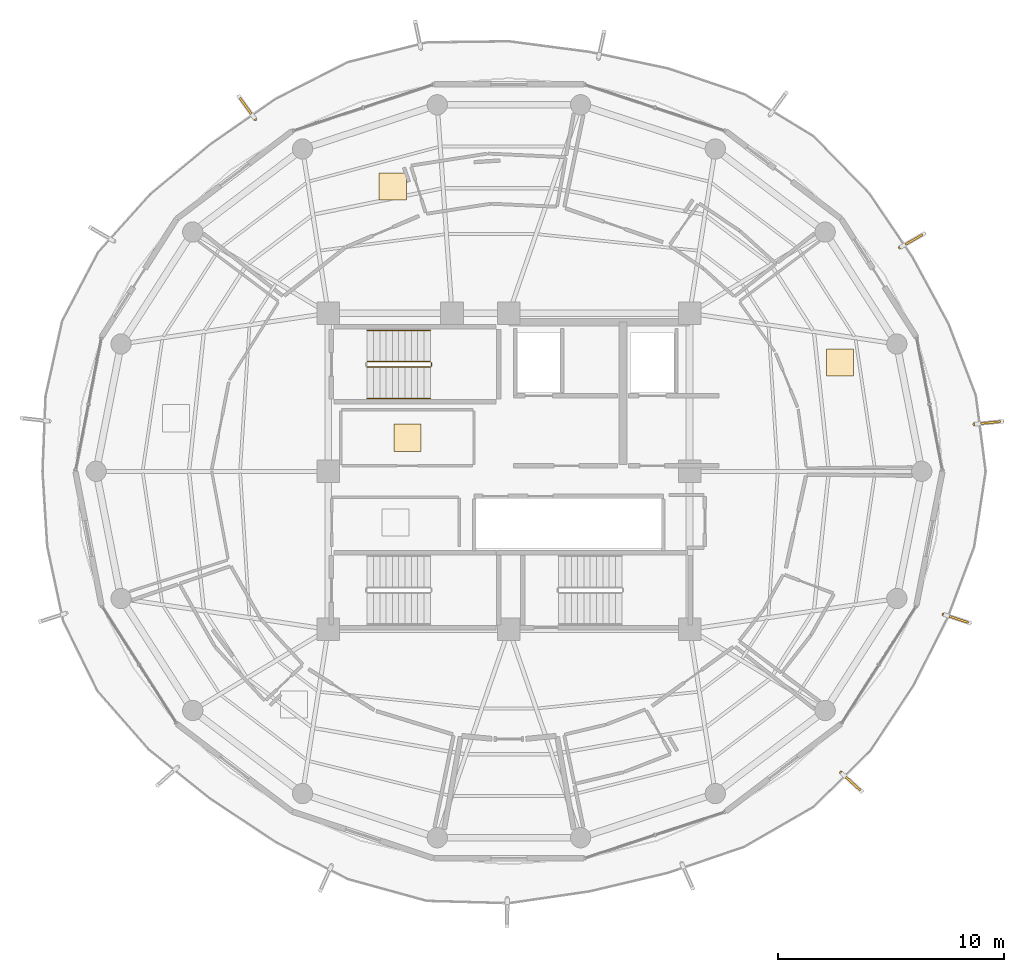
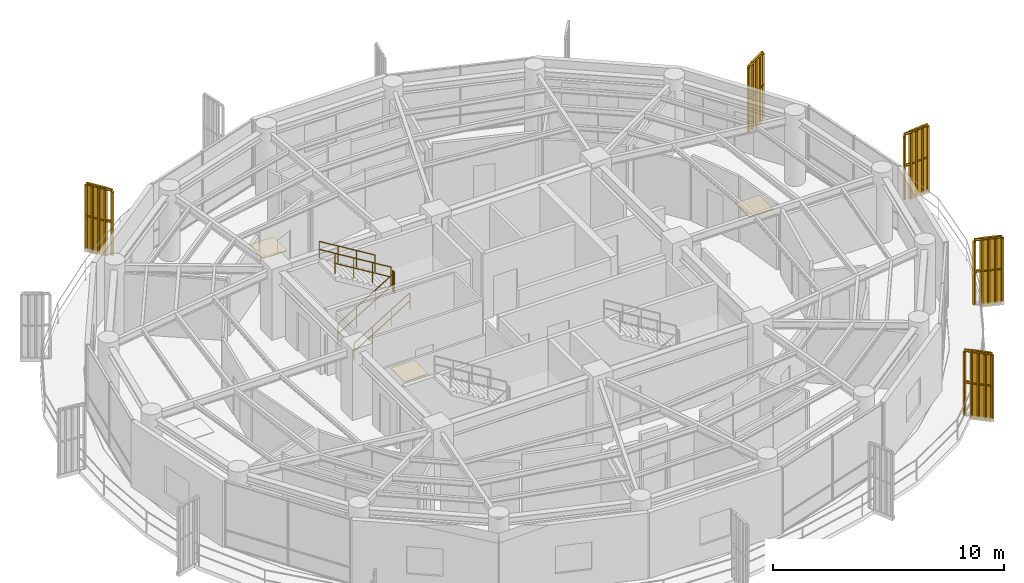
# One storey, part 21 of 22: 10 railings, 5 shading devices, 3 coverings.
"""IFC4 building model written with IfcOpenShell, lengths in metres."""

from ifc_helpers import new_model, si_unit, direction, frame, origin, origin_2d, place, context, subcontext, project, spatial, polyline, rectangle, outline, extrude, source, transform, mapped, material, layer, layer_set, type_object, element, save


model = new_model("IFC4")

# Units and contexts
model_context = context("Model", 3, precision=1e-05, world=origin(), true_north=direction((0.0, 1.0)))
body_context = subcontext(model_context, "Body", "Model", "MODEL_VIEW")
ifc_project = project(units=[si_unit("LENGTHUNIT", "METRE"), si_unit("AREAUNIT", "SQUARE_METRE"), si_unit("VOLUMEUNIT", "CUBIC_METRE"), si_unit("PLANEANGLEUNIT", "RADIAN"), si_unit("MASSUNIT", "GRAM", prefix="KILO")], contexts=[model_context])

# Site, building, storey
site_placement = place(None, origin())
site = spatial("IfcSite", under=ifc_project, at=site_placement, CompositionType="ELEMENT")
building_placement = place(site_placement, origin())
building = spatial("IfcBuilding", under=site, at=building_placement, Name="Kelanora Arch Commons", CompositionType="ELEMENT")
storey_placement = place(building_placement, frame((0.0, 0.0, 274.949951171875)))
storey = spatial("IfcBuildingStorey", under=building, at=storey_placement, Name="L70", CompositionType="ELEMENT", Elevation=274.949951171875)

# Railings
ifc_material_1 = material(Name="Anodised bronze vertical shading fin rib assembly")
railing_type_1 = type_object("IfcRailingType", Name="RAIL-FIN-BRZ", PredefinedType="BALUSTRADE", material=ifc_material_1)
railing_1_placement = place(storey_placement, frame((93.245849609375, 51.663818359375, -0.02001953125)))
element("IfcRailing", 1, at=railing_1_placement, inside=storey, type_object=railing_type_1, Name="Sweeping Bronze Vertical Fin Blade L70-00", PredefinedType="BALUSTRADE", context=body_context, shape_type="SweptSolid", body=[
    extrude(outline(polyline([(0.06982421875, 0.0), (0.034912109375, 0.060546875), (-0.034912109375, 0.060546875), (-0.06982421875, 0.0), (-0.034912109375, -0.060546875), (0.034912109375, -0.060546875), (0.06982421875, 0.0)])), frame((0.0, 0.0, 3.419921875), z_axis=(0.949843867846, -0.312724522088, 0.0), x_axis=(0.312724522088, 0.949843867846, 0.0)), (0.0, 0.0, 1.0), 1.234375),
    extrude(outline(polyline([(0.06982421875, 0.0), (0.034912109375, 0.060546875), (-0.034912109375, 0.060546875), (-0.06982421875, 0.0), (-0.034912109375, -0.060546875), (0.034912109375, -0.060546875), (0.06982421875, 0.0)])), frame((0.0, 0.0, 1.7451171875), z_axis=(0.949843867846, -0.312724522088, 0.0), x_axis=(0.312724522088, 0.949843867846, 0.0)), (0.0, 0.0, 1.0), 1.234375),
    extrude(outline(polyline([(0.080078125, 0.0), (0.0400390625, 0.0693359375), (-0.0400390625, 0.0693359375), (-0.080078125, 0.0), (-0.0400390625, -0.0693359375), (0.0400390625, -0.0693359375), (0.080078125, 0.0)])), origin(), (0.0, 0.0, 1.0), 3.35009765625),
    extrude(outline(polyline([(0.080078125, 0.0), (0.0400390625, 0.0693359375), (-0.0400390625, 0.0693359375), (-0.080078125, 0.0), (-0.0400390625, -0.0693359375), (0.0400390625, -0.0693359375), (0.080078125, 0.0)])), frame((0.29296875, -0.096435546875, 0.0)), (0.0, 0.0, 1.0), 3.35009765625),
    extrude(outline(polyline([(0.080078125, 0.0), (0.0400390625, 0.0693359375), (-0.0400390625, 0.0693359375), (-0.080078125, 0.0), (-0.0400390625, -0.0693359375), (0.0400390625, -0.0693359375), (0.080078125, 0.0)])), frame((0.586181640625, -0.19287109375, 0.0)), (0.0, 0.0, 1.0), 3.35009765625),
    extrude(outline(polyline([(0.080078125, 0.0), (0.0400390625, 0.0693359375), (-0.0400390625, 0.0693359375), (-0.080078125, 0.0), (-0.0400390625, -0.0693359375), (0.0400390625, -0.0693359375), (0.080078125, 0.0)])), frame((0.87939453125, -0.28955078125, 0.0)), (0.0, 0.0, 1.0), 3.35009765625),
    extrude(outline(polyline([(0.080078125, 0.0), (0.0400390625, 0.0693359375), (-0.0400390625, 0.0693359375), (-0.080078125, 0.0), (-0.0400390625, -0.0693359375), (0.0400390625, -0.0693359375), (0.080078125, 0.0)])), frame((1.17236328125, -0.385986328125, 0.0)), (0.0, 0.0, 1.0), 3.35009765625),
])
railing_2_placement = place(storey_placement, frame((94.61572265625, 60.085693359375, -0.02001953125)))
element("IfcRailing", 2, at=railing_2_placement, inside=storey, type_object=railing_type_1, Name="Sweeping Bronze Vertical Fin Blade L70-01", PredefinedType="BALUSTRADE", context=body_context, shape_type="SweptSolid", body=[
    extrude(outline(polyline([(0.06982421875, 0.0), (0.034912109375, 0.060546875), (-0.034912109375, 0.060546875), (-0.06982421875, 0.0), (-0.034912109375, -0.060546875), (0.034912109375, -0.060546875), (0.06982421875, 0.0)])), frame((0.0, 0.0, 3.419921875), z_axis=(0.994918993239, 0.100678681423, 0.0), x_axis=(-0.100678681423, 0.994918993239, 0.0)), (0.0, 0.0, 1.0), 1.234375),
    extrude(outline(polyline([(0.06982421875, 0.0), (0.034912109375, 0.060546875), (-0.034912109375, 0.060546875), (-0.06982421875, 0.0), (-0.034912109375, -0.060546875), (0.034912109375, -0.060546875), (0.06982421875, 0.0)])), frame((0.0, 0.0, 1.7451171875), z_axis=(0.994918993239, 0.100678681423, 0.0), x_axis=(-0.100678681423, 0.994918993239, 0.0)), (0.0, 0.0, 1.0), 1.234375),
    extrude(outline(polyline([(0.080078125, 0.0), (0.0400390625, 0.0693359375), (-0.0400390625, 0.0693359375), (-0.080078125, 0.0), (-0.0400390625, -0.0693359375), (0.0400390625, -0.0693359375), (0.080078125, 0.0)])), origin(), (0.0, 0.0, 1.0), 3.35009765625),
    extrude(outline(polyline([(0.080078125, 0.0), (0.0400390625, 0.0693359375), (-0.0400390625, 0.0693359375), (-0.080078125, 0.0), (-0.0400390625, -0.0693359375), (0.0400390625, -0.0693359375), (0.080078125, 0.0)])), frame((0.30712890625, 0.031005859375, 0.0)), (0.0, 0.0, 1.0), 3.35009765625),
    extrude(outline(polyline([(0.080078125, 0.0), (0.0400390625, 0.0693359375), (-0.0400390625, 0.0693359375), (-0.080078125, 0.0), (-0.0400390625, -0.0693359375), (0.0400390625, -0.0693359375), (0.080078125, 0.0)])), frame((0.614013671875, 0.06201171875, 0.0)), (0.0, 0.0, 1.0), 3.35009765625),
    extrude(outline(polyline([(0.080078125, 0.0), (0.0400390625, 0.0693359375), (-0.0400390625, 0.0693359375), (-0.080078125, 0.0), (-0.0400390625, -0.0693359375), (0.0400390625, -0.0693359375), (0.080078125, 0.0)])), frame((0.9208984375, 0.09326171875, 0.0)), (0.0, 0.0, 1.0), 3.35009765625),
    extrude(outline(polyline([(0.080078125, 0.0), (0.0400390625, 0.0693359375), (-0.0400390625, 0.0693359375), (-0.080078125, 0.0), (-0.0400390625, -0.0693359375), (0.0400390625, -0.0693359375), (0.080078125, 0.0)])), frame((1.22802734375, 0.124267578125, 0.0)), (0.0, 0.0, 1.0), 3.35009765625),
])
railing_3_placement = place(storey_placement, frame((91.314697265625, 67.906982421875, -0.02001953125)))
element("IfcRailing", 3, at=railing_3_placement, inside=storey, type_object=railing_type_1, Name="Sweeping Bronze Vertical Fin Blade L70-02", PredefinedType="BALUSTRADE", context=body_context, shape_type="SweptSolid", body=[
    extrude(outline(polyline([(0.06982421875, 0.0), (0.034912109375, 0.060546875), (-0.034912109375, 0.060546875), (-0.06982421875, 0.0), (-0.034912109375, -0.060546875), (0.034912109375, -0.060546875), (0.06982421875, 0.0)])), frame((0.0, 0.0, 3.419921875), z_axis=(0.867938673827, 0.496671378756, 0.0), x_axis=(-0.496671378756, 0.867938673827, 0.0)), (0.0, 0.0, 1.0), 1.234375),
    extrude(outline(polyline([(0.06982421875, 0.0), (0.034912109375, 0.060546875), (-0.034912109375, 0.060546875), (-0.06982421875, 0.0), (-0.034912109375, -0.060546875), (0.034912109375, -0.060546875), (0.06982421875, 0.0)])), frame((0.0, 0.0, 1.7451171875), z_axis=(0.867938673827, 0.496671378756, 0.0), x_axis=(-0.496671378756, 0.867938673827, 0.0)), (0.0, 0.0, 1.0), 1.234375),
    extrude(outline(polyline([(0.080078125, 0.0), (0.0400390625, 0.0693359375), (-0.0400390625, 0.0693359375), (-0.080078125, 0.0), (-0.0400390625, -0.0693359375), (0.0400390625, -0.0693359375), (0.080078125, 0.0)])), origin(), (0.0, 0.0, 1.0), 3.35009765625),
    extrude(outline(polyline([(0.080078125, 0.0), (0.0400390625, 0.0693359375), (-0.0400390625, 0.0693359375), (-0.080078125, 0.0), (-0.0400390625, -0.0693359375), (0.0400390625, -0.0693359375), (0.080078125, 0.0)])), frame((0.267822265625, 0.1533203125, 0.0)), (0.0, 0.0, 1.0), 3.35009765625),
    extrude(outline(polyline([(0.080078125, 0.0), (0.0400390625, 0.0693359375), (-0.0400390625, 0.0693359375), (-0.080078125, 0.0), (-0.0400390625, -0.0693359375), (0.0400390625, -0.0693359375), (0.080078125, 0.0)])), frame((0.53564453125, 0.306640625, 0.0)), (0.0, 0.0, 1.0), 3.35009765625),
    extrude(outline(polyline([(0.080078125, 0.0), (0.0400390625, 0.0693359375), (-0.0400390625, 0.0693359375), (-0.080078125, 0.0), (-0.0400390625, -0.0693359375), (0.0400390625, -0.0693359375), (0.080078125, 0.0)])), frame((0.803466796875, 0.459716796875, 0.0)), (0.0, 0.0, 1.0), 3.35009765625),
    extrude(outline(polyline([(0.080078125, 0.0), (0.0400390625, 0.0693359375), (-0.0400390625, 0.0693359375), (-0.080078125, 0.0), (-0.0400390625, -0.0693359375), (0.0400390625, -0.0693359375), (0.080078125, 0.0)])), frame((1.0712890625, 0.613037109375, 0.0)), (0.0, 0.0, 1.0), 3.35009765625),
])
railing_4_placement = place(storey_placement, frame((62.760986328125, 73.596435546875, -0.02001953125)))
element("IfcRailing", 4, at=railing_4_placement, inside=storey, type_object=railing_type_1, Name="Sweeping Bronze Vertical Fin Blade L70-06", PredefinedType="BALUSTRADE", context=body_context, shape_type="SweptSolid", body=[
    extrude(outline(polyline([(0.06982421875, 0.0), (0.034912109375, 0.060546875), (-0.034912109375, 0.060546875), (-0.06982421875, 0.0), (-0.034912109375, -0.060546875), (0.034912109375, -0.060546875), (0.06982421875, 0.0)])), frame((0.0, 0.0, 3.419921875), z_axis=(-0.584638130939, 0.811294185762, 0.0), x_axis=(-0.811294185762, -0.584638130939, 0.0)), (0.0, 0.0, 1.0), 1.234375),
    extrude(outline(polyline([(0.06982421875, 0.0), (0.034912109375, 0.060546875), (-0.034912109375, 0.060546875), (-0.06982421875, 0.0), (-0.034912109375, -0.060546875), (0.034912109375, -0.060546875), (0.06982421875, 0.0)])), frame((0.0, 0.0, 1.7451171875), z_axis=(-0.584638130939, 0.811294185762, 0.0), x_axis=(-0.811294185762, -0.584638130939, 0.0)), (0.0, 0.0, 1.0), 1.234375),
    extrude(outline(polyline([(0.080078125, 0.0), (0.0400390625, 0.0693359375), (-0.0400390625, 0.0693359375), (-0.080078125, 0.0), (-0.0400390625, -0.0693359375), (0.0400390625, -0.0693359375), (0.080078125, 0.0)])), origin(), (0.0, 0.0, 1.0), 3.35009765625),
    extrude(outline(polyline([(0.080078125, 0.0), (0.0400390625, 0.0693359375), (-0.0400390625, 0.0693359375), (-0.080078125, 0.0), (-0.0400390625, -0.0693359375), (0.0400390625, -0.0693359375), (0.080078125, 0.0)])), frame((-0.180419921875, 0.25048828125, 0.0)), (0.0, 0.0, 1.0), 3.35009765625),
    extrude(outline(polyline([(0.080078125, 0.0), (0.0400390625, 0.0693359375), (-0.0400390625, 0.0693359375), (-0.080078125, 0.0), (-0.0400390625, -0.0693359375), (0.0400390625, -0.0693359375), (0.080078125, 0.0)])), frame((-0.36083984375, 0.500732421875, 0.0)), (0.0, 0.0, 1.0), 3.35009765625),
    extrude(outline(polyline([(0.080078125, 0.0), (0.0400390625, 0.0693359375), (-0.0400390625, 0.0693359375), (-0.080078125, 0.0), (-0.0400390625, -0.0693359375), (0.0400390625, -0.0693359375), (0.080078125, 0.0)])), frame((-0.541259765625, 0.7509765625, 0.0)), (0.0, 0.0, 1.0), 3.35009765625),
    extrude(outline(polyline([(0.080078125, 0.0), (0.0400390625, 0.0693359375), (-0.0400390625, 0.0693359375), (-0.080078125, 0.0), (-0.0400390625, -0.0693359375), (0.0400390625, -0.0693359375), (0.080078125, 0.0)])), frame((-0.7216796875, 1.00146484375, 0.0)), (0.0, 0.0, 1.0), 3.35009765625),
])
railing_5_placement = place(storey_placement, frame((88.7080078125, 44.652587890625, -0.02001953125)))
element("IfcRailing", 5, at=railing_5_placement, inside=storey, type_object=railing_type_1, Name="Sweeping Bronze Vertical Fin Blade L70-14", PredefinedType="BALUSTRADE", context=body_context, shape_type="SweptSolid", body=[
    extrude(outline(polyline([(0.06982421875, 0.0), (0.034912109375, 0.060546875), (-0.034912109375, 0.060546875), (-0.06982421875, 0.0), (-0.034912109375, -0.060546875), (0.034912109375, -0.060546875), (0.06982421875, 0.0)])), frame((0.0, 0.0, 3.419921875), z_axis=(0.74059311724, -0.671953744462, 0.0), x_axis=(0.671953744462, 0.74059311724, 0.0)), (0.0, 0.0, 1.0), 1.234130859375),
    extrude(outline(polyline([(0.06982421875, 0.0), (0.034912109375, 0.060546875), (-0.034912109375, 0.060546875), (-0.06982421875, 0.0), (-0.034912109375, -0.060546875), (0.034912109375, -0.060546875), (0.06982421875, 0.0)])), frame((0.0, 0.0, 1.7451171875), z_axis=(0.74059311724, -0.671953744462, 0.0), x_axis=(0.671953744462, 0.74059311724, 0.0)), (0.0, 0.0, 1.0), 1.234130859375),
    extrude(outline(polyline([(0.080078125, 0.0), (0.0400390625, 0.0693359375), (-0.0400390625, 0.0693359375), (-0.080078125, 0.0), (-0.0400390625, -0.0693359375), (0.0400390625, -0.0693359375), (0.080078125, 0.0)])), origin(), (0.0, 0.0, 1.0), 3.35009765625),
    extrude(outline(polyline([(0.080078125, 0.0), (0.0400390625, 0.0693359375), (-0.0400390625, 0.0693359375), (-0.080078125, 0.0), (-0.0400390625, -0.0693359375), (0.0400390625, -0.0693359375), (0.080078125, 0.0)])), frame((0.228515625, -0.207275390625, 0.0)), (0.0, 0.0, 1.0), 3.35009765625),
    extrude(outline(polyline([(0.080078125, 0.0), (0.0400390625, 0.0693359375), (-0.0400390625, 0.0693359375), (-0.080078125, 0.0), (-0.0400390625, -0.0693359375), (0.0400390625, -0.0693359375), (0.080078125, 0.0)])), frame((0.45703125, -0.41455078125, 0.0)), (0.0, 0.0, 1.0), 3.35009765625),
    extrude(outline(polyline([(0.080078125, 0.0), (0.0400390625, 0.0693359375), (-0.0400390625, 0.0693359375), (-0.080078125, 0.0), (-0.0400390625, -0.0693359375), (0.0400390625, -0.0693359375), (0.080078125, 0.0)])), frame((0.685546875, -0.6220703125, 0.0)), (0.0, 0.0, 1.0), 3.35009765625),
    extrude(outline(polyline([(0.080078125, 0.0), (0.0400390625, 0.0693359375), (-0.0400390625, 0.0693359375), (-0.080078125, 0.0), (-0.0400390625, -0.0693359375), (0.0400390625, -0.0693359375), (0.080078125, 0.0)])), frame((0.9140625, -0.829345703125, 0.0)), (0.0, 0.0, 1.0), 3.35009765625),
])
ifc_material_2 = material(Name="Painted steel stair well guard", Category="steel")
railing_type_2 = type_object("IfcRailingType", Name="RAIL-STAIR-GRD", PredefinedType="GUARDRAIL", material=ifc_material_2)
railing_6_placement = place(storey_placement, frame((67.719970703125, 62.610107421875, 0.17041015625)))
element("IfcRailing", 6, at=railing_6_placement, inside=storey, type_object=railing_type_2, Name="L70 ST-T1 stair guard 1", PredefinedType="GUARDRAIL", context=body_context, shape_type="SweptSolid", body=[
    extrude(outline(polyline([(0.02392578125, 0.0), (0.011962890625, 0.020751953125), (-0.011962890625, 0.020751953125), (-0.02392578125, 0.0), (-0.011962890625, -0.020751953125), (0.011962890625, -0.020751953125), (0.02392578125, 0.0)])), frame((0.0, 0.0, 1.076171875), z_axis=(0.854169791009, 0.0, 0.51999420009), x_axis=(0.0, 1.0, 0.0)), (0.0, 0.0, 1.0), 3.278076171875),
    extrude(outline(polyline([(0.02392578125, 0.0), (0.011962890625, 0.020751953125), (-0.011962890625, 0.020751953125), (-0.02392578125, 0.0), (-0.011962890625, -0.020751953125), (0.011962890625, -0.020751953125), (0.02392578125, 0.0)])), frame((0.0, 0.0, 0.550048828125), z_axis=(0.854169791009, 0.0, 0.51999420009), x_axis=(0.0, 1.0, 0.0)), (0.0, 0.0, 1.0), 3.278076171875),
    extrude(outline(polyline([(0.02099609375, 0.0), (0.010498046875, 0.01806640625), (-0.010498046875, 0.01806640625), (-0.02099609375, 0.0), (-0.010498046875, -0.01806640625), (0.010498046875, -0.01806640625), (0.02099609375, 0.0)])), origin(), (0.0, 0.0, 1.0), 1.052001953125),
    extrude(outline(polyline([(0.02099609375, 0.0), (0.010498046875, 0.01806640625), (-0.010498046875, 0.01806640625), (-0.02099609375, 0.0), (-0.010498046875, -0.01806640625), (0.010498046875, -0.01806640625), (0.02099609375, 0.0)])), frame((0.933349609375, 0.0, 0.568115234375)), (0.0, 0.0, 1.0), 1.052001953125),
    extrude(outline(polyline([(0.02099609375, 0.0), (0.010498046875, 0.01806640625), (-0.010498046875, 0.01806640625), (-0.02099609375, 0.0), (-0.010498046875, -0.01806640625), (0.010498046875, -0.01806640625), (0.02099609375, 0.0)])), frame((1.86669921875, 0.0, 1.136474609375)), (0.0, 0.0, 1.0), 1.052001953125),
    extrude(outline(polyline([(0.02099609375, 0.0), (0.010498046875, 0.01806640625), (-0.010498046875, 0.01806640625), (-0.02099609375, 0.0), (-0.010498046875, -0.01806640625), (0.010498046875, -0.01806640625), (0.02099609375, 0.0)])), frame((2.800048828125, 0.0, 1.70458984375)), (0.0, 0.0, 1.0), 1.052001953125),
])
railing_7_placement = place(storey_placement, frame((70.570068359375, 62.659912109375, 1.875)))
element("IfcRailing", 7, at=railing_7_placement, inside=storey, type_object=railing_type_2, Name="L70 ST-T1 stair guard 2", PredefinedType="GUARDRAIL", context=body_context, shape_type="SweptSolid", body=[
    extrude(outline(polyline([(0.02392578125, 0.0), (0.011962890625, 0.020751953125), (-0.011962890625, 0.020751953125), (-0.02392578125, 0.0), (-0.011962890625, -0.020751953125), (0.011962890625, -0.020751953125), (0.02392578125, 0.0)])), frame((0.0, 0.0, 1.076171875), z_axis=(0.0, 1.0, 0.0), x_axis=(-1.0, 0.0, 0.0)), (0.0, 0.0, 1.0), 0.150146484375),
    extrude(outline(polyline([(0.02392578125, 0.0), (0.011962890625, 0.020751953125), (-0.011962890625, 0.020751953125), (-0.02392578125, 0.0), (-0.011962890625, -0.020751953125), (0.011962890625, -0.020751953125), (0.02392578125, 0.0)])), frame((0.0, 0.0, 0.550048828125), z_axis=(0.0, 1.0, 0.0), x_axis=(-1.0, 0.0, 0.0)), (0.0, 0.0, 1.0), 0.150146484375),
    extrude(outline(polyline([(0.02099609375, 0.0), (0.010498046875, 0.01806640625), (-0.010498046875, 0.01806640625), (-0.02099609375, 0.0), (-0.010498046875, -0.01806640625), (0.010498046875, -0.01806640625), (0.02099609375, 0.0)])), origin(), (0.0, 0.0, 1.0), 1.052001953125),
    extrude(outline(polyline([(0.02099609375, 0.0), (0.010498046875, 0.01806640625), (-0.010498046875, 0.01806640625), (-0.02099609375, 0.0), (-0.010498046875, -0.01806640625), (0.010498046875, -0.01806640625), (0.02099609375, 0.0)])), frame((0.0, 0.150146484375, 0.0)), (0.0, 0.0, 1.0), 1.052001953125),
])
railing_8_placement = place(storey_placement, frame((70.52001953125, 62.860107421875, 2.04541015625)))
element("IfcRailing", 8, at=railing_8_placement, inside=storey, type_object=railing_type_2, Name="L70 ST-T1 stair guard 3", PredefinedType="GUARDRAIL", context=body_context, shape_type="SweptSolid", body=[
    extrude(outline(polyline([(0.02392578125, 0.0), (0.011962890625, 0.020751953125), (-0.011962890625, 0.020751953125), (-0.02392578125, 0.0), (-0.011962890625, -0.020751953125), (0.011962890625, -0.020751953125), (0.02392578125, 0.0)])), frame((0.0, 0.0, 1.076171875), z_axis=(-0.854169791009, 0.0, 0.51999420009), x_axis=(0.0, -1.0, 0.0)), (0.0, 0.0, 1.0), 3.278076171875),
    extrude(outline(polyline([(0.02392578125, 0.0), (0.011962890625, 0.020751953125), (-0.011962890625, 0.020751953125), (-0.02392578125, 0.0), (-0.011962890625, -0.020751953125), (0.011962890625, -0.020751953125), (0.02392578125, 0.0)])), frame((0.0, 0.0, 0.550048828125), z_axis=(-0.854169791009, 0.0, 0.51999420009), x_axis=(0.0, -1.0, 0.0)), (0.0, 0.0, 1.0), 3.278076171875),
    extrude(outline(polyline([(0.02099609375, 0.0), (0.010498046875, 0.01806640625), (-0.010498046875, 0.01806640625), (-0.02099609375, 0.0), (-0.010498046875, -0.01806640625), (0.010498046875, -0.01806640625), (0.02099609375, 0.0)])), origin(), (0.0, 0.0, 1.0), 1.052001953125),
    extrude(outline(polyline([(0.02099609375, 0.0), (0.010498046875, 0.01806640625), (-0.010498046875, 0.01806640625), (-0.02099609375, 0.0), (-0.010498046875, -0.01806640625), (0.010498046875, -0.01806640625), (0.02099609375, 0.0)])), frame((-0.933349609375, 0.0, 0.568115234375)), (0.0, 0.0, 1.0), 1.052001953125),
    extrude(outline(polyline([(0.02099609375, 0.0), (0.010498046875, 0.01806640625), (-0.010498046875, 0.01806640625), (-0.02099609375, 0.0), (-0.010498046875, -0.01806640625), (0.010498046875, -0.01806640625), (0.02099609375, 0.0)])), frame((-1.86669921875, 0.0, 1.136474609375)), (0.0, 0.0, 1.0), 1.052001953125),
    extrude(outline(polyline([(0.02099609375, 0.0), (0.010498046875, 0.01806640625), (-0.010498046875, 0.01806640625), (-0.02099609375, 0.0), (-0.010498046875, -0.01806640625), (0.010498046875, -0.01806640625), (0.02099609375, 0.0)])), frame((-2.800048828125, 0.0, 1.70458984375)), (0.0, 0.0, 1.0), 1.052001953125),
])
ifc_material_3 = material(Name="Brushed stainless steel stair handrail", Category="steel")
railing_type_3 = type_object("IfcRailingType", Name="RAIL-STAIR-HND", PredefinedType="HANDRAIL", material=ifc_material_3)
railing_9_placement = place(storey_placement, frame((67.719970703125, 61.22998046875, 0.17041015625)))
element("IfcRailing", 9, at=railing_9_placement, inside=storey, type_object=railing_type_3, Name="L70 ST-T1 stair handrail 1", PredefinedType="HANDRAIL", context=body_context, shape_type="SweptSolid", body=[
    extrude(outline(polyline([(0.02392578125, 0.0), (0.011962890625, 0.020751953125), (-0.011962890625, 0.020751953125), (-0.02392578125, 0.0), (-0.011962890625, -0.020751953125), (0.011962890625, -0.020751953125), (0.02392578125, 0.0)])), frame((0.0, 0.0, 0.8759765625), z_axis=(0.854169791009, 0.0, 0.51999420009), x_axis=(0.0, 1.0, 0.0)), (0.0, 0.0, 1.0), 3.278076171875),
    extrude(outline(polyline([(0.02392578125, 0.0), (0.011962890625, 0.020751953125), (-0.011962890625, 0.020751953125), (-0.02392578125, 0.0), (-0.011962890625, -0.020751953125), (0.011962890625, -0.020751953125), (0.02392578125, 0.0)])), frame((0.0, 0.0, 0.449951171875), z_axis=(0.854169791009, 0.0, 0.51999420009), x_axis=(0.0, 1.0, 0.0)), (0.0, 0.0, 1.0), 3.278076171875),
    extrude(outline(polyline([(0.02099609375, 0.0), (0.010498046875, 0.01806640625), (-0.010498046875, 0.01806640625), (-0.02099609375, 0.0), (-0.010498046875, -0.01806640625), (0.010498046875, -0.01806640625), (0.02099609375, 0.0)])), origin(), (0.0, 0.0, 1.0), 0.851806640625),
    extrude(outline(polyline([(0.02099609375, 0.0), (0.010498046875, 0.01806640625), (-0.010498046875, 0.01806640625), (-0.02099609375, 0.0), (-0.010498046875, -0.01806640625), (0.010498046875, -0.01806640625), (0.02099609375, 0.0)])), frame((0.933349609375, 0.0, 0.568115234375)), (0.0, 0.0, 1.0), 0.851806640625),
    extrude(outline(polyline([(0.02099609375, 0.0), (0.010498046875, 0.01806640625), (-0.010498046875, 0.01806640625), (-0.02099609375, 0.0), (-0.010498046875, -0.01806640625), (0.010498046875, -0.01806640625), (0.02099609375, 0.0)])), frame((1.86669921875, 0.0, 1.136474609375)), (0.0, 0.0, 1.0), 0.851806640625),
    extrude(outline(polyline([(0.02099609375, 0.0), (0.010498046875, 0.01806640625), (-0.010498046875, 0.01806640625), (-0.02099609375, 0.0), (-0.010498046875, -0.01806640625), (0.010498046875, -0.01806640625), (0.02099609375, 0.0)])), frame((2.800048828125, 0.0, 1.70458984375)), (0.0, 0.0, 1.0), 0.851806640625),
])
railing_10_placement = place(storey_placement, frame((70.52001953125, 64.239990234375, 2.04541015625)))
element("IfcRailing", 10, at=railing_10_placement, inside=storey, type_object=railing_type_3, Name="L70 ST-T1 stair handrail 2", PredefinedType="HANDRAIL", context=body_context, shape_type="SweptSolid", body=[
    extrude(outline(polyline([(0.02392578125, 0.0), (0.011962890625, 0.020751953125), (-0.011962890625, 0.020751953125), (-0.02392578125, 0.0), (-0.011962890625, -0.020751953125), (0.011962890625, -0.020751953125), (0.02392578125, 0.0)])), frame((0.0, 0.0, 0.8759765625), z_axis=(-0.854169791009, 0.0, 0.51999420009), x_axis=(0.0, -1.0, 0.0)), (0.0, 0.0, 1.0), 3.278076171875),
    extrude(outline(polyline([(0.02392578125, 0.0), (0.011962890625, 0.020751953125), (-0.011962890625, 0.020751953125), (-0.02392578125, 0.0), (-0.011962890625, -0.020751953125), (0.011962890625, -0.020751953125), (0.02392578125, 0.0)])), frame((0.0, 0.0, 0.449951171875), z_axis=(-0.854169791009, 0.0, 0.51999420009), x_axis=(0.0, -1.0, 0.0)), (0.0, 0.0, 1.0), 3.278076171875),
    extrude(outline(polyline([(0.02099609375, 0.0), (0.010498046875, 0.01806640625), (-0.010498046875, 0.01806640625), (-0.02099609375, 0.0), (-0.010498046875, -0.01806640625), (0.010498046875, -0.01806640625), (0.02099609375, 0.0)])), origin(), (0.0, 0.0, 1.0), 0.851806640625),
    extrude(outline(polyline([(0.02099609375, 0.0), (0.010498046875, 0.01806640625), (-0.010498046875, 0.01806640625), (-0.02099609375, 0.0), (-0.010498046875, -0.01806640625), (0.010498046875, -0.01806640625), (0.02099609375, 0.0)])), frame((-0.933349609375, 0.0, 0.568115234375)), (0.0, 0.0, 1.0), 0.851806640625),
    extrude(outline(polyline([(0.02099609375, 0.0), (0.010498046875, 0.01806640625), (-0.010498046875, 0.01806640625), (-0.02099609375, 0.0), (-0.010498046875, -0.01806640625), (0.010498046875, -0.01806640625), (0.02099609375, 0.0)])), frame((-1.86669921875, 0.0, 1.136474609375)), (0.0, 0.0, 1.0), 0.851806640625),
    extrude(outline(polyline([(0.02099609375, 0.0), (0.010498046875, 0.01806640625), (-0.010498046875, 0.01806640625), (-0.02099609375, 0.0), (-0.010498046875, -0.01806640625), (0.010498046875, -0.01806640625), (0.02099609375, 0.0)])), frame((-2.800048828125, 0.0, 1.70458984375)), (0.0, 0.0, 1.0), 0.851806640625),
])

# Shading devices
ifc_material_4 = material(Name="Terracotta ceramic-clad extruded aluminium fin", Category="masonry")
shading_device_type = type_object("IfcShadingDeviceType", Name="SHD-FIN-FLARE", PredefinedType="USERDEFINED", material=ifc_material_4)
shared_shape_1 = source(origin(), body_context, "Body", "SweptSolid", [
    extrude(rectangle(XDim=0.8798828125, YDim=0.090087890625, at=origin_2d()), origin(), (0.0, 0.0, 1.0), 3.610107421875),
])
for number, where, z_axis, x_axis, name in (
    (11, (93.9296875, 51.438720703125, -0.14013671875), (0.0, 0.0, 1.0), (0.949862968197, -0.312666502279, 0.0), "Sweeping Terracotta Fin L70-00"),
    (12, (95.33203125, 60.158203125, -0.14013671875), (0.0, 0.0, 1.0), (0.994915923519, 0.100709012153, 0.0), "Sweeping Terracotta Fin L70-01"),
    (13, (91.939697265625, 68.2646484375, -0.14013671875), (0.0, 0.0, 1.0), (0.867938877136, 0.49667102347, 0.0), "Sweeping Terracotta Fin L70-02"),
    (14, (62.340087890625, 74.1806640625, -0.14013671875), (0.0, 0.0, 1.0), (-0.584674524674, 0.811267958321, 0.0), "Sweeping Terracotta Fin L70-06"),
    (15, (89.2412109375, 44.1689453125, -0.14013671875), (0.0, 0.0, 1.0), (0.74057007644, -0.671979137981, 0.0), "Sweeping Terracotta Fin L70-14"),
):
    element("IfcShadingDevice", number, at=place(storey_placement, frame(where, z_axis=z_axis, x_axis=x_axis)), inside=storey, type_object=shading_device_type, Name=name, ObjectType="FIN", PredefinedType="USERDEFINED", context=body_context, shape_type="MappedRepresentation", body=[
        mapped(shared_shape_1, transform((0.0, 0.0, 0.0), scale=1.0)),
    ])

# Coverings
ifc_material_5 = material(Name="Polished local granite terrazzo flooring", Category="masonry")
ifc_layer = layer(ifc_material_5, 0.030029296875)
ifc_layer_set = layer_set([ifc_layer], Name="Polished local granite terrazzo flooring")
covering_type = type_object("IfcCoveringType", Name="COV-FLR-TER", PredefinedType="FLOORING", material=ifc_layer_set)
shared_shape_2 = source(origin(), body_context, "Body", "SweptSolid", [
    extrude(rectangle(XDim=1.199951171875, YDim=1.199951171875, at=origin_2d()), origin(), (0.0, 0.0, 1.0), 0.030029296875),
])
for number, where, z_axis, x_axis, name in (
    (16, (69.5, 59.485107421875, 0.0), (0.0, 0.0, 1.0), (1.0, 0.0, 0.0), "Reclaimed Core Study Pod Lounge L70 Terrazzo Finish"),
    (17, (88.669921875, 62.82568359375, 0.0), (0.0, 0.0, 1.0), (1.0, 0.0, 0.0), "Social Sky Lounge L70-03 Terrazzo Finish"),
    (18, (68.8544921875, 70.6171875, 0.0), (0.0, 0.0, 1.0), (1.0, 0.0, 0.0), "Co-Living Studio L70-05 Terrazzo Finish"),
):
    element("IfcCovering", number, at=place(storey_placement, frame(where, z_axis=z_axis, x_axis=x_axis)), inside=storey, type_object=covering_type, Name=name, PredefinedType="FLOORING", context=body_context, shape_type="MappedRepresentation", body=[
        mapped(shared_shape_2, transform((0.0, 0.0, 0.0), scale=1.0)),
    ])

save(model, "model.ifc")
